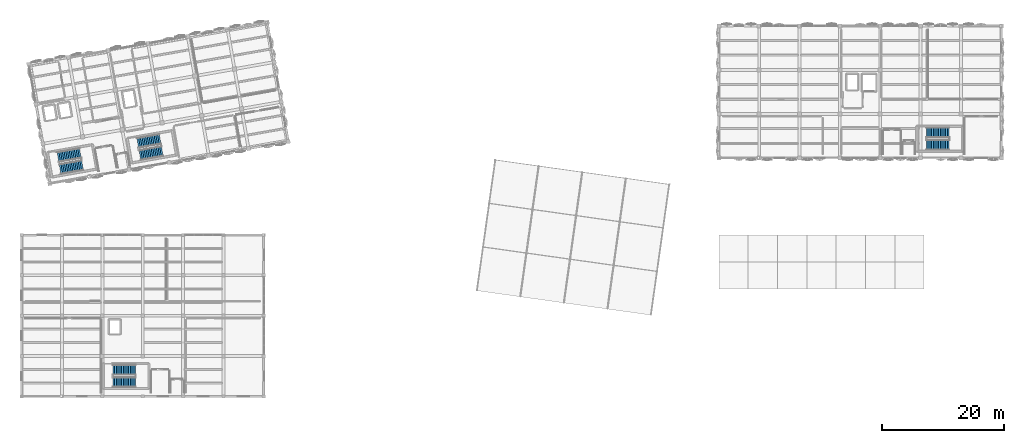
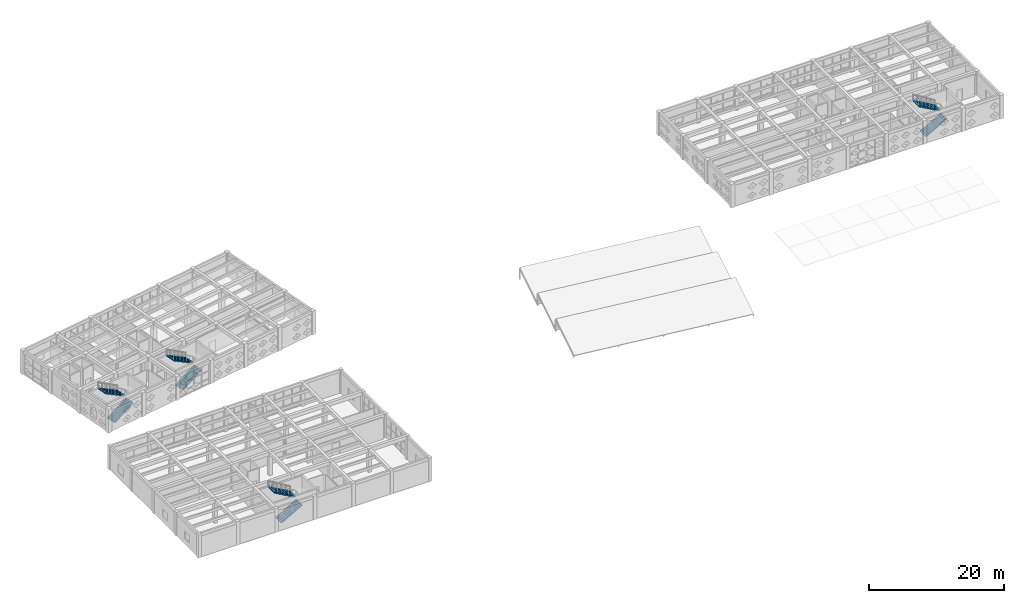
# One storey, part 42 of 48: 8 stair flights, 4 elements without a shape of their own.
"""IFC4 building model written with IfcOpenShell, lengths in metres."""

import ifcopenshell
import ifcopenshell.guid

model = None  # the IFC model being written
_history = None  # IfcOwnerHistory: only IFC2X3 demands one
_inside = {}  # id of a spatial element -> (the spatial element, [elements in it])
_under = {}  # id of a project, library or spatial element -> (it, [spatial elements below it])
_declared = {}  # id of a project -> (the project, [libraries it declares])
_typed = {}  # id of a type object -> (the type object, [elements of that type])
_made_of = {}  # id of a material, layer set ... -> (it, [elements and type objects made of it])


def new_model(schema):
    """Start an empty IFC model of exactly this schema.

    Asked for "IFC4X3", IfcOpenShell would pick the latest addendum, in which some entities
    have other attributes; the version numbers below select the first issue.
    IFC2X3 requires an IfcOwnerHistory on every rooted entity: one is made here for all.
    """
    global model, _history
    if schema == "IFC4X3":
        model = ifcopenshell.file(schema_version=(4, 3, 0, 0))
    else:
        model = ifcopenshell.file(schema=schema)
    _inside.clear()
    _under.clear()
    _declared.clear()
    _typed.clear()
    _made_of.clear()
    _history = None
    if model.schema == "IFC2X3":
        org = make("IfcOrganization", Name="unknown")
        user = make(
            "IfcPersonAndOrganization",
            ThePerson=make("IfcPerson", FamilyName="unknown"),
            TheOrganization=org,
        )
        app = make(
            "IfcApplication",
            ApplicationDeveloper=org,
            Version="unknown",
            ApplicationFullName="unknown",
            ApplicationIdentifier="unknown",
        )
        _history = make(
            "IfcOwnerHistory",
            OwningUser=user,
            OwningApplication=app,
            ChangeAction="ADDED",
            CreationDate=0,
        )
    return model


def make(cls, **values):
    """One entity of the class cls with the attributes given. An attribute that is None is left unset."""
    return model.create_entity(
        cls, **{name: value for name, value in values.items() if value is not None}
    )


def rooted(cls, **values):
    """An entity with a GlobalId (a new one), such as an element, a storey or a relation."""
    return make(cls, GlobalId=ifcopenshell.guid.new(), OwnerHistory=_history, **values)


def si_unit(unit_type, name, prefix=None):
    """IfcSIUnit, for example si_unit("LENGTHUNIT", "METRE", prefix="MILLI")."""
    return make("IfcSIUnit", UnitType=unit_type, Prefix=prefix, Name=name)


def assignment(units):
    """IfcUnitAssignment: the units of a project."""
    return None if units is None else make("IfcUnitAssignment", Units=units)


def point(xyz):
    """IfcCartesianPoint."""
    return None if xyz is None else make("IfcCartesianPoint", Coordinates=xyz)


def direction(xyz):
    """IfcDirection."""
    return None if xyz is None else make("IfcDirection", DirectionRatios=xyz)


def frame(location, z_axis=None, x_axis=None):
    """IfcAxis2Placement3D, a coordinate frame: its origin and axes. An axis left out is left unset."""
    return make(
        "IfcAxis2Placement3D",
        Location=point(location),
        Axis=direction(z_axis),
        RefDirection=direction(x_axis),
    )


def origin():
    """The frame at (0, 0, 0) with its axes left unset."""
    return frame((0.0, 0.0, 0.0))


def place(relative_to, where):
    """IfcLocalPlacement: puts the frame where relative to a parent placement (None: the world)."""
    return make(
        "IfcLocalPlacement", PlacementRelTo=relative_to, RelativePlacement=where
    )


def context(
    kind, dimensions, precision=None, world=None, true_north=None, identifier=None
):
    """IfcGeometricRepresentationContext, for example the 3D "Model" context."""
    return make(
        "IfcGeometricRepresentationContext",
        ContextIdentifier=identifier,
        ContextType=kind,
        CoordinateSpaceDimension=dimensions,
        Precision=precision,
        WorldCoordinateSystem=world,
        TrueNorth=true_north,
    )


def subcontext(parent, identifier, kind, view, scale=None):
    """IfcGeometricRepresentationSubContext, for example "Body" below "Model"."""
    return make(
        "IfcGeometricRepresentationSubContext",
        ContextIdentifier=identifier,
        ContextType=kind,
        ParentContext=parent,
        TargetScale=scale,
        TargetView=view,
    )


def project(units=None, contexts=None):
    """IfcProject with its units and contexts."""
    return rooted(
        "IfcProject",
        Name="project",
        RepresentationContexts=contexts,
        UnitsInContext=assignment(units),
    )


def spatial(cls, under=None, at=None, **own):
    """A site, building, storey or space (cls), placed at a placement, below another one or the project."""
    s = rooted(cls, ObjectPlacement=at, **own)
    if under is not None:
        _under.setdefault(under.id(), (under, []))[1].append(s)
    return s


def polyline(points):
    """IfcPolyline through the points."""
    return make("IfcPolyline", Points=[point(p) for p in points])


def outline(outer, holes=None, kind="AREA"):
    """IfcArbitraryClosedProfileDef: a profile drawn as a closed curve; with holes, ...WithVoids."""
    if holes is None:
        return make("IfcArbitraryClosedProfileDef", ProfileType=kind, OuterCurve=outer)
    return make(
        "IfcArbitraryProfileDefWithVoids",
        ProfileType=kind,
        OuterCurve=outer,
        InnerCurves=holes,
    )


def extrude(swept, where, along, depth):
    """IfcExtrudedAreaSolid: the profile swept, set in the frame where, extruded along a direction by depth."""
    return make(
        "IfcExtrudedAreaSolid",
        SweptArea=swept,
        Position=where,
        ExtrudedDirection=direction(along),
        Depth=depth,
    )


def shape(context_of_items, identifier, shape_type, items):
    """IfcShapeRepresentation: the items that make up one representation, for example the "Body"."""
    return make(
        "IfcShapeRepresentation",
        ContextOfItems=context_of_items,
        RepresentationIdentifier=identifier,
        RepresentationType=shape_type,
        Items=items,
    )


def material(Name=None, Category=None):
    """IfcMaterial."""
    return make("IfcMaterial", Name=Name, Category=Category)


def made_of(thing, what):
    """Note that an element or type object is made of a material, layer set ...; save() writes the relation."""
    if what is not None:
        _made_of.setdefault(what.id(), (what, []))[1].append(thing)
    return thing


def type_object(cls, material=None, **own):
    """A type object (cls), such as IfcWallType, which elements share."""
    return made_of(rooted(cls, **own), material)


def element(
    cls,
    number,
    at=None,
    inside=None,
    cuts=None,
    type_object=None,
    material=None,
    context=None,
    identifier="Body",
    shape_type=None,
    held_by="IfcProductDefinitionShape",
    body=None,
    shapes=None,
    **own,
):
    """One element of the class cls, such as IfcWall. Its Tag is "e" and its number.

    at: its placement. inside: the storey or other place that contains it. cuts: it is an
    opening in that element (IfcRelVoidsElement). A single representation is given by context,
    identifier, shape_type and body (its items); several are given by shapes. held_by: the class
    of the entity that holds the representations. save() writes the other relations.
    """
    e = rooted(cls, Tag="e%d" % number, ObjectPlacement=at, **own)
    if body is not None:
        shapes = [shape(context, identifier, shape_type, body)]
    if shapes is not None:
        e.Representation = make(held_by, Representations=shapes)
    if inside is not None:
        _inside.setdefault(inside.id(), (inside, []))[1].append(e)
    if cuts is not None:
        rooted(
            "IfcRelVoidsElement", RelatingBuildingElement=cuts, RelatedOpeningElement=e
        )
    if type_object is not None:
        _typed.setdefault(type_object.id(), (type_object, []))[1].append(e)
    return made_of(e, material)


def aggregate(whole, parts):
    """IfcRelAggregates: a whole, such as a stair, and the parts it consists of."""
    return rooted("IfcRelAggregates", RelatingObject=whole, RelatedObjects=parts)


def save(model, path):
    """Write the relations noted so far, then the file.

    IfcRelAggregates (storeys below a building ...), IfcRelContainedInSpatialStructure (elements
    in a storey), IfcRelDefinesByType, IfcRelAssociatesMaterial and IfcRelDeclares: one each for
    every whole, place, type object, material and project.
    """
    for whole, parts in _under.values():
        aggregate(whole, parts)
    for where, things in _inside.values():
        rooted(
            "IfcRelContainedInSpatialStructure",
            RelatedElements=things,
            RelatingStructure=where,
        )
    for kind, things in _typed.values():
        rooted("IfcRelDefinesByType", RelatedObjects=things, RelatingType=kind)
    for what, things in _made_of.values():
        rooted("IfcRelAssociatesMaterial", RelatedObjects=things, RelatingMaterial=what)
    for by, libraries in _declared.values():
        rooted("IfcRelDeclares", RelatingContext=by, RelatedDefinitions=libraries)
    model.write(path)


model = new_model("IFC4")

# Units and contexts
model_context = context("Model", 3, precision=1e-05, world=origin(), true_north=direction((0.0, 1.0)))
body_context = subcontext(model_context, "Body", "Model", "MODEL_VIEW")
ifc_project = project(units=[si_unit("LENGTHUNIT", "METRE"), si_unit("AREAUNIT", "SQUARE_METRE"), si_unit("VOLUMEUNIT", "CUBIC_METRE"), si_unit("PLANEANGLEUNIT", "RADIAN"), si_unit("MASSUNIT", "GRAM", prefix="KILO")], contexts=[model_context])

# Site, building, storey
site_placement = place(None, origin())
site = spatial("IfcSite", under=ifc_project, at=site_placement, CompositionType="ELEMENT")
building_placement = place(site_placement, origin())
building = spatial("IfcBuilding", under=site, at=building_placement, Name="Kharisveld Research Institute", CompositionType="ELEMENT")
storey_placement = place(building_placement, frame((0.0, 0.0, 14.10009765625)))
storey = spatial("IfcBuildingStorey", under=building, at=storey_placement, Name="L03", CompositionType="ELEMENT", Elevation=14.10009765625)

# Stair, stair flights
ifc_material_1 = material(Name="Concrete C40/50", Category="concrete")
stair_type = type_object("IfcStairType", Name="ST_EXIT_170", PredefinedType="TWO_STRAIGHT_RUN_STAIR", material=ifc_material_1)
stair_1_placement = place(storey_placement, origin())
stair_1 = element("IfcStair", 1, at=stair_1_placement, inside=storey, type_object=stair_type, Name="STR:ST1:L03", PredefinedType="TWO_STRAIGHT_RUN_STAIR")
ifc_material_2 = material(Name="Concrete C40/50", Category="concrete")
stair_flight_type = type_object("IfcStairFlightType", Name="SF_RUN_170", PredefinedType="STRAIGHT", material=ifc_material_2)
stair_flight_1_placement = place(storey_placement, frame((6.891357421875, 37.339111328125, 0.0), z_axis=(0.0, 0.0, 1.0), x_axis=(0.984807753012, 0.173648177667, 0.0)))
stair_flight_1 = element("IfcStairFlight", 2, at=stair_flight_1_placement, type_object=stair_flight_type, Name="ST-01 flight 1", NumberOfRisers=14, NumberOfTreads=13, PredefinedType="STRAIGHT", RiserHeight=0.160714, TreadLength=0.285, context=body_context, shape_type="SweptSolid", body=[
    extrude(outline(polyline([(0.0, 0.0), (0.0, 0.16064453125), (0.284912109375, 0.16064453125), (0.284912109375, 0.321533203125), (0.570068359375, 0.321533203125), (0.570068359375, 0.482177734375), (0.85498046875, 0.482177734375), (0.85498046875, 0.642822265625), (1.139892578125, 0.642822265625), (1.139892578125, 0.803466796875), (1.425048828125, 0.803466796875), (1.425048828125, 0.96435546875), (1.7099609375, 0.96435546875), (1.7099609375, 1.125), (1.9951171875, 1.125), (1.9951171875, 1.28564453125), (2.280029296875, 1.28564453125), (2.280029296875, 1.446533203125), (2.56494140625, 1.446533203125), (2.56494140625, 1.607177734375), (2.85009765625, 1.607177734375), (2.85009765625, 1.767822265625), (3.135009765625, 1.767822265625), (3.135009765625, 1.928466796875), (3.419921875, 1.928466796875), (3.419921875, 2.08935546875), (3.705078125, 2.08935546875), (3.705078125, 2.25), (3.705078125, 1.917236328125), (0.30517578125, 0.0), (0.0, 0.0)])), frame((0.0, 0.85009765625, 0.0), z_axis=(0.0, -1.0, 0.0), x_axis=(1.0, 0.0, 0.0)), (0.0, 0.0, 1.0), 1.699951171875),
])
stair_flight_2_placement = place(storey_placement, frame((10.182373046875, 40.01123046875, 2.25), z_axis=(0.0, 0.0, 1.0), x_axis=(-0.984807753012, -0.173648177667, 0.0)))
stair_flight_2 = element("IfcStairFlight", 3, at=stair_flight_2_placement, type_object=stair_flight_type, Name="ST-01 flight 2", NumberOfRisers=14, NumberOfTreads=13, PredefinedType="STRAIGHT", RiserHeight=0.160714, TreadLength=0.285, context=body_context, shape_type="SweptSolid", body=[
    extrude(outline(polyline([(0.0, 0.0), (0.0, 0.16064453125), (0.284912109375, 0.16064453125), (0.284912109375, 0.321533203125), (0.570068359375, 0.321533203125), (0.570068359375, 0.482177734375), (0.85498046875, 0.482177734375), (0.85498046875, 0.642822265625), (1.139892578125, 0.642822265625), (1.139892578125, 0.803466796875), (1.425048828125, 0.803466796875), (1.425048828125, 0.96435546875), (1.7099609375, 0.96435546875), (1.7099609375, 1.125), (1.9951171875, 1.125), (1.9951171875, 1.28564453125), (2.280029296875, 1.28564453125), (2.280029296875, 1.446533203125), (2.56494140625, 1.446533203125), (2.56494140625, 1.607177734375), (2.85009765625, 1.607177734375), (2.85009765625, 1.767822265625), (3.135009765625, 1.767822265625), (3.135009765625, 1.928466796875), (3.419921875, 1.928466796875), (3.419921875, 2.08935546875), (3.705078125, 2.08935546875), (3.705078125, 2.25), (3.705078125, 1.917236328125), (0.30517578125, 0.0), (0.0, 0.0)])), frame((0.0, 0.85009765625, 0.0), z_axis=(0.0, -1.0, 0.0), x_axis=(1.0, 0.0, 0.0)), (0.0, 0.0, 1.0), 1.699951171875),
])
aggregate(stair_1, [stair_flight_1, stair_flight_2])

stair_2_placement = place(storey_placement, origin())
stair_2 = element("IfcStair", 4, at=stair_2_placement, inside=storey, type_object=stair_type, Name="STR:ST2:L03", PredefinedType="TWO_STRAIGHT_RUN_STAIR")
stair_flight_3_placement = place(storey_placement, frame((19.93994140625, 39.639892578125, 0.0), z_axis=(0.0, 0.0, 1.0), x_axis=(0.984807753012, 0.173648177667, 0.0)))
stair_flight_3 = element("IfcStairFlight", 5, at=stair_flight_3_placement, type_object=stair_flight_type, Name="ST-02 flight 1", NumberOfRisers=14, NumberOfTreads=13, PredefinedType="STRAIGHT", RiserHeight=0.160714, TreadLength=0.285, context=body_context, shape_type="SweptSolid", body=[
    extrude(outline(polyline([(0.0, 0.0), (0.0, 0.16064453125), (0.284912109375, 0.16064453125), (0.284912109375, 0.321533203125), (0.570068359375, 0.321533203125), (0.570068359375, 0.482177734375), (0.85498046875, 0.482177734375), (0.85498046875, 0.642822265625), (1.139892578125, 0.642822265625), (1.139892578125, 0.803466796875), (1.425048828125, 0.803466796875), (1.425048828125, 0.96435546875), (1.7099609375, 0.96435546875), (1.7099609375, 1.125), (1.9951171875, 1.125), (1.9951171875, 1.28564453125), (2.280029296875, 1.28564453125), (2.280029296875, 1.446533203125), (2.56494140625, 1.446533203125), (2.56494140625, 1.607177734375), (2.85009765625, 1.607177734375), (2.85009765625, 1.767822265625), (3.135009765625, 1.767822265625), (3.135009765625, 1.928466796875), (3.419921875, 1.928466796875), (3.419921875, 2.08935546875), (3.705078125, 2.08935546875), (3.705078125, 2.25), (3.705078125, 1.917236328125), (0.30517578125, 0.0), (0.0, 0.0)])), frame((0.0, 0.85009765625, 0.0), z_axis=(0.0, -1.0, 0.0), x_axis=(1.0, 0.0, 0.0)), (0.0, 0.0, 1.0), 1.699951171875),
])
stair_flight_4_placement = place(storey_placement, frame((23.23095703125, 42.31201171875, 2.25), z_axis=(0.0, 0.0, 1.0), x_axis=(-0.984807753012, -0.173648177667, 0.0)))
stair_flight_4 = element("IfcStairFlight", 6, at=stair_flight_4_placement, type_object=stair_flight_type, Name="ST-02 flight 2", NumberOfRisers=14, NumberOfTreads=13, PredefinedType="STRAIGHT", RiserHeight=0.160714, TreadLength=0.285, context=body_context, shape_type="SweptSolid", body=[
    extrude(outline(polyline([(0.0, 0.0), (0.0, 0.16064453125), (0.284912109375, 0.16064453125), (0.284912109375, 0.321533203125), (0.570068359375, 0.321533203125), (0.570068359375, 0.482177734375), (0.85498046875, 0.482177734375), (0.85498046875, 0.642822265625), (1.139892578125, 0.642822265625), (1.139892578125, 0.803466796875), (1.425048828125, 0.803466796875), (1.425048828125, 0.96435546875), (1.7099609375, 0.96435546875), (1.7099609375, 1.125), (1.9951171875, 1.125), (1.9951171875, 1.28564453125), (2.280029296875, 1.28564453125), (2.280029296875, 1.446533203125), (2.56494140625, 1.446533203125), (2.56494140625, 1.607177734375), (2.85009765625, 1.607177734375), (2.85009765625, 1.767822265625), (3.135009765625, 1.767822265625), (3.135009765625, 1.928466796875), (3.419921875, 1.928466796875), (3.419921875, 2.08935546875), (3.705078125, 2.08935546875), (3.705078125, 2.25), (3.705078125, 1.917236328125), (0.30517578125, 0.0), (0.0, 0.0)])), frame((0.0, 0.85009765625, 0.0), z_axis=(0.0, -1.0, 0.0), x_axis=(1.0, 0.0, 0.0)), (0.0, 0.0, 1.0), 1.699951171875),
])
aggregate(stair_2, [stair_flight_3, stair_flight_4])

stair_3_placement = place(storey_placement, origin())
stair_3 = element("IfcStair", 7, at=stair_3_placement, inside=storey, type_object=stair_type, Name="STR:ST3:L03", PredefinedType="TWO_STRAIGHT_RUN_STAIR")
stair_flight_5_placement = place(storey_placement, frame((148.570068359375, 41.300048828125, 0.0), z_axis=(0.0, 0.0, 1.0), x_axis=(1.0, 0.0, 0.0)))
stair_flight_5 = element("IfcStairFlight", 8, at=stair_flight_5_placement, type_object=stair_flight_type, Name="ST-03 flight 1", NumberOfRisers=14, NumberOfTreads=13, PredefinedType="STRAIGHT", RiserHeight=0.160714, TreadLength=0.285, context=body_context, shape_type="SweptSolid", body=[
    extrude(outline(polyline([(0.0, 0.0), (0.0, 0.16064453125), (0.284912109375, 0.16064453125), (0.284912109375, 0.321533203125), (0.570068359375, 0.321533203125), (0.570068359375, 0.482177734375), (0.85498046875, 0.482177734375), (0.85498046875, 0.642822265625), (1.139892578125, 0.642822265625), (1.139892578125, 0.803466796875), (1.425048828125, 0.803466796875), (1.425048828125, 0.96435546875), (1.7099609375, 0.96435546875), (1.7099609375, 1.125), (1.9951171875, 1.125), (1.9951171875, 1.28564453125), (2.280029296875, 1.28564453125), (2.280029296875, 1.446533203125), (2.56494140625, 1.446533203125), (2.56494140625, 1.607177734375), (2.85009765625, 1.607177734375), (2.85009765625, 1.767822265625), (3.135009765625, 1.767822265625), (3.135009765625, 1.928466796875), (3.419921875, 1.928466796875), (3.419921875, 2.08935546875), (3.705078125, 2.08935546875), (3.705078125, 2.25), (3.705078125, 1.917236328125), (0.30517578125, 0.0), (0.0, 0.0)])), frame((0.0, 0.85009765625, 0.0), z_axis=(0.0, -1.0, 0.0), x_axis=(1.0, 0.0, 0.0)), (0.0, 0.0, 1.0), 1.699951171875),
])
stair_flight_6_placement = place(storey_placement, frame((152.27490234375, 43.360107421875, 2.25), z_axis=(0.0, 0.0, 1.0), x_axis=(-1.0, 0.0, 0.0)))
stair_flight_6 = element("IfcStairFlight", 9, at=stair_flight_6_placement, type_object=stair_flight_type, Name="ST-03 flight 2", NumberOfRisers=14, NumberOfTreads=13, PredefinedType="STRAIGHT", RiserHeight=0.160714, TreadLength=0.285, context=body_context, shape_type="SweptSolid", body=[
    extrude(outline(polyline([(0.0, 0.0), (0.0, 0.16064453125), (0.284912109375, 0.16064453125), (0.284912109375, 0.321533203125), (0.570068359375, 0.321533203125), (0.570068359375, 0.482177734375), (0.85498046875, 0.482177734375), (0.85498046875, 0.642822265625), (1.139892578125, 0.642822265625), (1.139892578125, 0.803466796875), (1.425048828125, 0.803466796875), (1.425048828125, 0.96435546875), (1.7099609375, 0.96435546875), (1.7099609375, 1.125), (1.9951171875, 1.125), (1.9951171875, 1.28564453125), (2.280029296875, 1.28564453125), (2.280029296875, 1.446533203125), (2.56494140625, 1.446533203125), (2.56494140625, 1.607177734375), (2.85009765625, 1.607177734375), (2.85009765625, 1.767822265625), (3.135009765625, 1.767822265625), (3.135009765625, 1.928466796875), (3.419921875, 1.928466796875), (3.419921875, 2.08935546875), (3.705078125, 2.08935546875), (3.705078125, 2.25), (3.705078125, 1.917236328125), (0.30517578125, 0.0), (0.0, 0.0)])), frame((0.0, 0.85009765625, 0.0), z_axis=(0.0, -1.0, 0.0), x_axis=(1.0, 0.0, 0.0)), (0.0, 0.0, 1.0), 1.699951171875),
])
aggregate(stair_3, [stair_flight_5, stair_flight_6])

stair_4_placement = place(storey_placement, origin())
stair_4 = element("IfcStair", 10, at=stair_4_placement, inside=storey, type_object=stair_type, Name="STR:ST4:L03", PredefinedType="TWO_STRAIGHT_RUN_STAIR")
stair_flight_7_placement = place(storey_placement, frame((15.52001953125, 2.5, 0.0), z_axis=(0.0, 0.0, 1.0), x_axis=(1.0, 0.0, 0.0)))
stair_flight_7 = element("IfcStairFlight", 11, at=stair_flight_7_placement, type_object=stair_flight_type, Name="ST-04 flight 1", NumberOfRisers=14, NumberOfTreads=13, PredefinedType="STRAIGHT", RiserHeight=0.160714, TreadLength=0.285, context=body_context, shape_type="SweptSolid", body=[
    extrude(outline(polyline([(0.0, 0.0), (0.0, 0.16064453125), (0.284912109375, 0.16064453125), (0.284912109375, 0.321533203125), (0.570068359375, 0.321533203125), (0.570068359375, 0.482177734375), (0.85498046875, 0.482177734375), (0.85498046875, 0.642822265625), (1.139892578125, 0.642822265625), (1.139892578125, 0.803466796875), (1.425048828125, 0.803466796875), (1.425048828125, 0.96435546875), (1.7099609375, 0.96435546875), (1.7099609375, 1.125), (1.9951171875, 1.125), (1.9951171875, 1.28564453125), (2.280029296875, 1.28564453125), (2.280029296875, 1.446533203125), (2.56494140625, 1.446533203125), (2.56494140625, 1.607177734375), (2.85009765625, 1.607177734375), (2.85009765625, 1.767822265625), (3.135009765625, 1.767822265625), (3.135009765625, 1.928466796875), (3.419921875, 1.928466796875), (3.419921875, 2.08935546875), (3.705078125, 2.08935546875), (3.705078125, 2.25), (3.705078125, 1.917236328125), (0.30517578125, 0.0), (0.0, 0.0)])), frame((0.0, 0.85009765625, 0.0), z_axis=(0.0, -1.0, 0.0), x_axis=(1.0, 0.0, 0.0)), (0.0, 0.0, 1.0), 1.699951171875),
])
stair_flight_8_placement = place(storey_placement, frame((19.22509765625, 4.56005859375, 2.25), z_axis=(0.0, 0.0, 1.0), x_axis=(-1.0, 0.0, 0.0)))
stair_flight_8 = element("IfcStairFlight", 12, at=stair_flight_8_placement, type_object=stair_flight_type, Name="ST-04 flight 2", NumberOfRisers=14, NumberOfTreads=13, PredefinedType="STRAIGHT", RiserHeight=0.160714, TreadLength=0.285, context=body_context, shape_type="SweptSolid", body=[
    extrude(outline(polyline([(0.0, 0.0), (0.0, 0.16064453125), (0.284912109375, 0.16064453125), (0.284912109375, 0.321533203125), (0.570068359375, 0.321533203125), (0.570068359375, 0.482177734375), (0.85498046875, 0.482177734375), (0.85498046875, 0.642822265625), (1.139892578125, 0.642822265625), (1.139892578125, 0.803466796875), (1.425048828125, 0.803466796875), (1.425048828125, 0.96435546875), (1.7099609375, 0.96435546875), (1.7099609375, 1.125), (1.9951171875, 1.125), (1.9951171875, 1.28564453125), (2.280029296875, 1.28564453125), (2.280029296875, 1.446533203125), (2.56494140625, 1.446533203125), (2.56494140625, 1.607177734375), (2.85009765625, 1.607177734375), (2.85009765625, 1.767822265625), (3.135009765625, 1.767822265625), (3.135009765625, 1.928466796875), (3.419921875, 1.928466796875), (3.419921875, 2.08935546875), (3.705078125, 2.08935546875), (3.705078125, 2.25), (3.705078125, 1.917236328125), (0.30517578125, 0.0), (0.0, 0.0)])), frame((0.0, 0.85009765625, 0.0), z_axis=(0.0, -1.0, 0.0), x_axis=(1.0, 0.0, 0.0)), (0.0, 0.0, 1.0), 1.699951171875),
])
aggregate(stair_4, [stair_flight_7, stair_flight_8])

save(model, "model.ifc")
